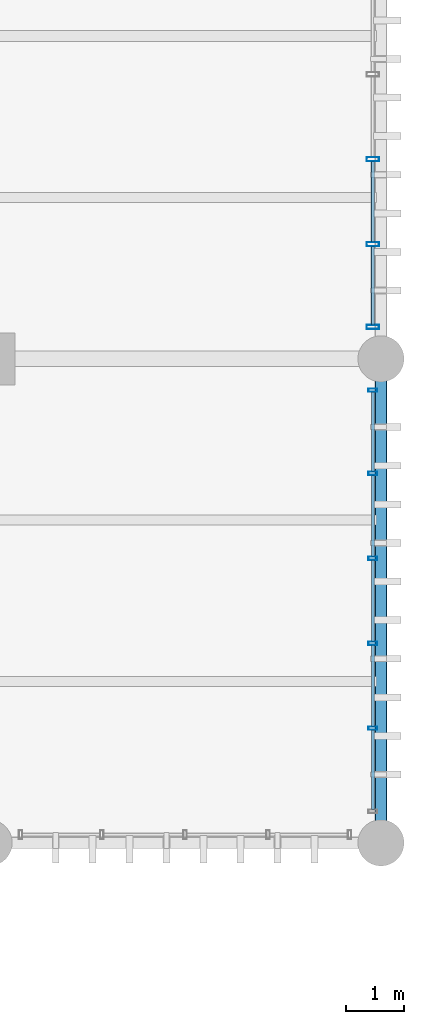
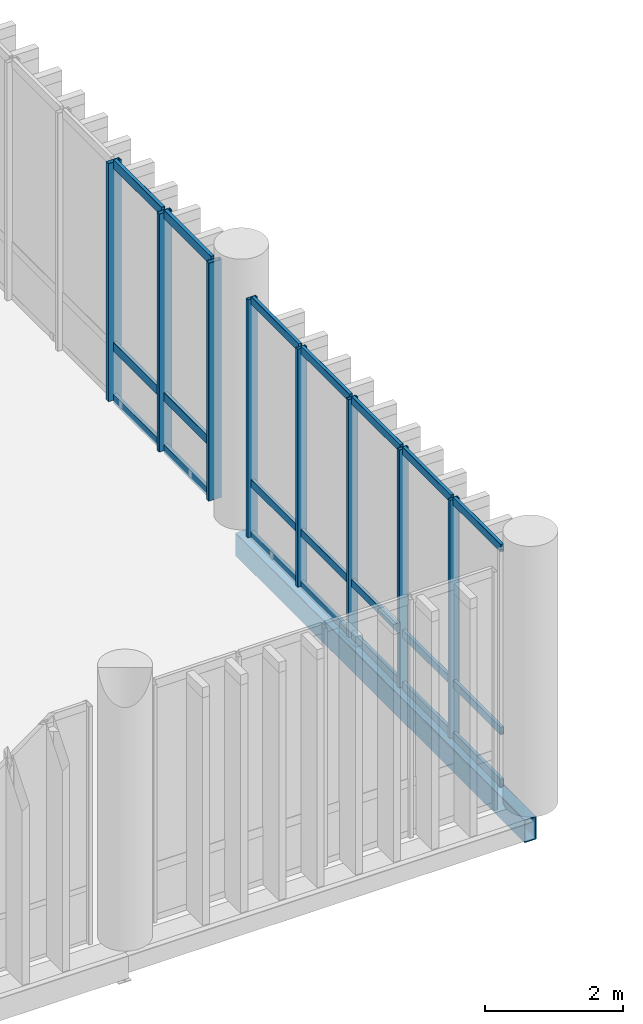
# One storey, part 74 of 109: 29 members, 1 beam, 2 elements without a shape of their own.
"""IFC4 building model written with IfcOpenShell, lengths in metres."""

from ifc_helpers import new_model, si_unit, direction, frame, origin_with_axes, origin_2d_with_axis, place, context, subcontext, project, spatial, hollow_rectangle, extrude, material, material_profile, profile_set, type_object, element, aggregate, save


model = new_model("IFC4")

# Units and contexts
model_context = context("Model", 3, precision=1e-05, world=origin_with_axes(), true_north=direction((0.0, 1.0)))
body_context = subcontext(model_context, "Body", "Model", "MODEL_VIEW")
ifc_project = project(units=[si_unit("LENGTHUNIT", "METRE"), si_unit("AREAUNIT", "SQUARE_METRE"), si_unit("VOLUMEUNIT", "CUBIC_METRE"), si_unit("PLANEANGLEUNIT", "RADIAN"), si_unit("MASSUNIT", "GRAM", prefix="KILO"), si_unit("THERMODYNAMICTEMPERATUREUNIT", "KELVIN")], contexts=[model_context])

# Site, building, storey
site_placement = place(None, origin_with_axes())
site = spatial("IfcSite", under=ifc_project, at=site_placement, CompositionType="ELEMENT")
building_placement = place(site_placement, origin_with_axes())
building = spatial("IfcBuilding", under=site, at=building_placement, Name="Montbau Bow Law Courts", CompositionType="ELEMENT")
storey_placement = place(building_placement, frame((0.0, 0.0, 10.8), z_axis=(0.0, 0.0, 1.0), x_axis=(1.0, 0.0, 0.0)))
storey = spatial("IfcBuildingStorey", under=building, at=storey_placement, Name="L02", CompositionType="ELEMENT", Elevation=10.8)

# Beam
ifc_material_1 = material(Name="Steel CSA G40.21 Grade 350WT (350 MPa)", Category="steel")
ifc_material_profile_1 = material_profile(ifc_material_1, hollow_rectangle(XDim=0.203, YDim=0.406, WallThickness=0.0127, InnerFilletRadius=0.0254, OuterFilletRadius=0.0127, at=origin_2d_with_axis()), Name="HSS406X203X13", Category="Main", Priority=0)
ifc_profile_set_1 = profile_set([ifc_material_profile_1], Name="Steel CSA G40.21 Grade 350WT (350 MPa)")
beam_type = type_object("IfcBeamType", Name="B-SPN-01", PredefinedType="SPANDREL", material=ifc_profile_set_1)
beam_placement = place(None, frame((169.4, 69.6, 10.297), z_axis=(0.0, 1.0, 0.0), x_axis=(-1.0, 0.0, 0.0)))
element("IfcBeam", 1, at=beam_placement, inside=storey, type_object=beam_type, Name="SPN-L02-S1201:bm2_1204", PredefinedType="SPANDREL", context=body_context, shape_type="SweptSolid", body=[
    extrude(hollow_rectangle(XDim=0.203, YDim=0.406, WallThickness=0.0127, InnerFilletRadius=0.0254, OuterFilletRadius=0.0127, at=origin_2d_with_axis()), origin_with_axes(), (0.0, 0.0, 1.0), 8.4),
])

# Curtain wall, members
ifc_material_2 = material(Name="Thermally Broken Extruded Aluminium AA 6063-T6", Category="aluminium")
curtain_wall_type = type_object("IfcCurtainWallType", Name="CW-SLT-01", PredefinedType="NOTDEFINED", material=ifc_material_2)
curtain_wall_1_placement = place(None, frame((169.26, 78.515, 10.8), z_axis=(0.0, 0.0, 1.0), x_axis=(1.0, 0.0, 0.0)))
curtain_wall_1 = element("IfcCurtainWall", 2, at=curtain_wall_1_placement, inside=storey, type_object=curtain_wall_type, Name="CW-L02-306:cw_0306", PredefinedType="NOTDEFINED")
ifc_material_profile_2 = material_profile(ifc_material_2, hollow_rectangle(XDim=0.075, YDim=0.22, WallThickness=0.005, InnerFilletRadius=0.01, OuterFilletRadius=0.005, at=origin_2d_with_axis()), Name="CWM-220X75", Category="Main", Priority=0)
ifc_profile_set_2 = profile_set([ifc_material_profile_2], Name="Thermally Broken Extruded Aluminium AA 6063-T6")
member_type_1 = type_object("IfcMemberType", Name="M-MUL-01", PredefinedType="MULLION", material=ifc_profile_set_2)
member_1_placement = place(None, frame((169.26, 78.552, 10.8), z_axis=(0.0, 0.0, 1.0), x_axis=(0.0, 1.0, 0.0)))
member_1 = element("IfcMember", 3, at=member_1_placement, type_object=member_type_1, Name="CW-L02-306-M01:cw_0306_M01", PredefinedType="MULLION", context=body_context, shape_type="SweptSolid", body=[
    extrude(hollow_rectangle(XDim=0.075, YDim=0.22, WallThickness=0.005, InnerFilletRadius=0.01, OuterFilletRadius=0.005, at=origin_2d_with_axis()), origin_with_axes(), (0.0, 0.0, 1.0), 4.22),
])
member_2_placement = place(None, frame((169.26, 79.989, 10.8), z_axis=(0.0, 0.0, 1.0), x_axis=(0.0, 1.0, 0.0)))
member_2 = element("IfcMember", 4, at=member_2_placement, type_object=member_type_1, Name="CW-L02-306-M02:cw_0306_M02", PredefinedType="MULLION", context=body_context, shape_type="SweptSolid", body=[
    extrude(hollow_rectangle(XDim=0.075, YDim=0.22, WallThickness=0.005, InnerFilletRadius=0.01, OuterFilletRadius=0.005, at=origin_2d_with_axis()), origin_with_axes(), (0.0, 0.0, 1.0), 4.22),
])
member_3_placement = place(None, frame((169.26, 81.463, 10.8), z_axis=(0.0, 0.0, 1.0), x_axis=(0.0, 1.0, 0.0)))
member_3 = element("IfcMember", 5, at=member_3_placement, type_object=member_type_1, Name="CW-L02-306-M03:cw_0306_M03", PredefinedType="MULLION", context=body_context, shape_type="SweptSolid", body=[
    extrude(hollow_rectangle(XDim=0.075, YDim=0.22, WallThickness=0.005, InnerFilletRadius=0.01, OuterFilletRadius=0.005, at=origin_2d_with_axis()), origin_with_axes(), (0.0, 0.0, 1.0), 4.22),
])

curtain_wall_2_placement = place(None, frame((169.26, 70.115, 10.8), z_axis=(0.0, 0.0, 1.0), x_axis=(1.0, 0.0, 0.0)))
curtain_wall_2 = element("IfcCurtainWall", 6, at=curtain_wall_2_placement, inside=storey, type_object=curtain_wall_type, Name="CW-L02-305:cw_0305", PredefinedType="NOTDEFINED")
ifc_material_profile_3 = material_profile(ifc_material_2, hollow_rectangle(XDim=0.06, YDim=0.16, WallThickness=0.004, InnerFilletRadius=0.008, OuterFilletRadius=0.004, at=origin_2d_with_axis()), Name="CWM-160X60", Category="Main", Priority=0)
ifc_profile_set_3 = profile_set([ifc_material_profile_3], Name="Thermally Broken Extruded Aluminium AA 6063-T6")
member_type_2 = type_object("IfcMemberType", Name="M-MUL-03", PredefinedType="MULLION", material=ifc_profile_set_3)
member_4_placement = place(None, frame((169.26, 71.589, 10.8), z_axis=(0.0, 0.0, 1.0), x_axis=(0.0, 1.0, 0.0)))
member_4 = element("IfcMember", 7, at=member_4_placement, type_object=member_type_2, Name="CW-L02-305-M02:cw_0305_M02", PredefinedType="MULLION", context=body_context, shape_type="SweptSolid", body=[
    extrude(hollow_rectangle(XDim=0.06, YDim=0.16, WallThickness=0.004, InnerFilletRadius=0.008, OuterFilletRadius=0.004, at=origin_2d_with_axis()), origin_with_axes(), (0.0, 0.0, 1.0), 4.22),
])
member_5_placement = place(None, frame((169.26, 73.063, 10.8), z_axis=(0.0, 0.0, 1.0), x_axis=(0.0, 1.0, 0.0)))
member_5 = element("IfcMember", 8, at=member_5_placement, type_object=member_type_2, Name="CW-L02-305-M03:cw_0305_M03", PredefinedType="MULLION", context=body_context, shape_type="SweptSolid", body=[
    extrude(hollow_rectangle(XDim=0.06, YDim=0.16, WallThickness=0.004, InnerFilletRadius=0.008, OuterFilletRadius=0.004, at=origin_2d_with_axis()), origin_with_axes(), (0.0, 0.0, 1.0), 4.22),
])
member_6_placement = place(None, frame((169.26, 74.537, 10.8), z_axis=(0.0, 0.0, 1.0), x_axis=(0.0, 1.0, 0.0)))
member_6 = element("IfcMember", 9, at=member_6_placement, type_object=member_type_2, Name="CW-L02-305-M04:cw_0305_M04", PredefinedType="MULLION", context=body_context, shape_type="SweptSolid", body=[
    extrude(hollow_rectangle(XDim=0.06, YDim=0.16, WallThickness=0.004, InnerFilletRadius=0.008, OuterFilletRadius=0.004, at=origin_2d_with_axis()), origin_with_axes(), (0.0, 0.0, 1.0), 4.22),
])
member_7_placement = place(None, frame((169.26, 76.011, 10.8), z_axis=(0.0, 0.0, 1.0), x_axis=(0.0, 1.0, 0.0)))
member_7 = element("IfcMember", 10, at=member_7_placement, type_object=member_type_2, Name="CW-L02-305-M05:cw_0305_M05", PredefinedType="MULLION", context=body_context, shape_type="SweptSolid", body=[
    extrude(hollow_rectangle(XDim=0.06, YDim=0.16, WallThickness=0.004, InnerFilletRadius=0.008, OuterFilletRadius=0.004, at=origin_2d_with_axis()), origin_with_axes(), (0.0, 0.0, 1.0), 4.22),
])
member_8_placement = place(None, frame((169.26, 77.455, 10.8), z_axis=(0.0, 0.0, 1.0), x_axis=(0.0, 1.0, 0.0)))
member_8 = element("IfcMember", 11, at=member_8_placement, type_object=member_type_2, Name="CW-L02-305-M06:cw_0305_M06", PredefinedType="MULLION", context=body_context, shape_type="SweptSolid", body=[
    extrude(hollow_rectangle(XDim=0.06, YDim=0.16, WallThickness=0.004, InnerFilletRadius=0.008, OuterFilletRadius=0.004, at=origin_2d_with_axis()), origin_with_axes(), (0.0, 0.0, 1.0), 4.22),
])

# Member
ifc_material_profile_4 = material_profile(ifc_material_2, hollow_rectangle(XDim=0.06, YDim=0.16, WallThickness=0.004, InnerFilletRadius=0.008, OuterFilletRadius=0.004, at=origin_2d_with_axis()), Name="CWT-160X60", Category="Main", Priority=0)
ifc_profile_set_4 = profile_set([ifc_material_profile_4], Name="Thermally Broken Extruded Aluminium AA 6063-T6")
member_type_3 = type_object("IfcMemberType", Name="M-TRN-01", PredefinedType="USERDEFINED", material=ifc_profile_set_4)
member_9_placement = place(None, frame((169.26, 78.591, 10.83), z_axis=(0.0, 1.0, 0.0), x_axis=(-1.0, 0.0, 0.0)))
member_9 = element("IfcMember", 12, at=member_9_placement, type_object=member_type_3, Name="CW-L02-306-T01-1:cw_0306_T01_1", ObjectType="TRANSOM", PredefinedType="USERDEFINED", context=body_context, shape_type="SweptSolid", body=[
    extrude(hollow_rectangle(XDim=0.06, YDim=0.16, WallThickness=0.004, InnerFilletRadius=0.008, OuterFilletRadius=0.004, at=origin_2d_with_axis()), origin_with_axes(), (0.0, 0.0, 1.0), 1.358),
])

member_10_placement = place(None, frame((169.26, 78.591, 11.75), z_axis=(0.0, 1.0, 0.0), x_axis=(-1.0, 0.0, 0.0)))
member_10 = element("IfcMember", 13, at=member_10_placement, type_object=member_type_3, Name="CW-L02-306-T01-2:cw_0306_T01_2", ObjectType="TRANSOM", PredefinedType="USERDEFINED", context=body_context, shape_type="SweptSolid", body=[
    extrude(hollow_rectangle(XDim=0.06, YDim=0.16, WallThickness=0.004, InnerFilletRadius=0.008, OuterFilletRadius=0.004, at=origin_2d_with_axis()), origin_with_axes(), (0.0, 0.0, 1.0), 1.358),
])

member_11_placement = place(None, frame((169.26, 78.591, 14.99), z_axis=(0.0, 1.0, 0.0), x_axis=(-1.0, 0.0, 0.0)))
member_11 = element("IfcMember", 14, at=member_11_placement, type_object=member_type_3, Name="CW-L02-306-T01-3:cw_0306_T01_3", ObjectType="TRANSOM", PredefinedType="USERDEFINED", context=body_context, shape_type="SweptSolid", body=[
    extrude(hollow_rectangle(XDim=0.06, YDim=0.16, WallThickness=0.004, InnerFilletRadius=0.008, OuterFilletRadius=0.004, at=origin_2d_with_axis()), origin_with_axes(), (0.0, 0.0, 1.0), 1.358),
])

member_12_placement = place(None, frame((169.26, 80.029, 10.83), z_axis=(0.0, 1.0, 0.0), x_axis=(-1.0, 0.0, 0.0)))
member_12 = element("IfcMember", 15, at=member_12_placement, type_object=member_type_3, Name="CW-L02-306-T02-1:cw_0306_T02_1", ObjectType="TRANSOM", PredefinedType="USERDEFINED", context=body_context, shape_type="SweptSolid", body=[
    extrude(hollow_rectangle(XDim=0.06, YDim=0.16, WallThickness=0.004, InnerFilletRadius=0.008, OuterFilletRadius=0.004, at=origin_2d_with_axis()), origin_with_axes(), (0.0, 0.0, 1.0), 1.395),
])

member_13_placement = place(None, frame((169.26, 80.029, 11.75), z_axis=(0.0, 1.0, 0.0), x_axis=(-1.0, 0.0, 0.0)))
member_13 = element("IfcMember", 16, at=member_13_placement, type_object=member_type_3, Name="CW-L02-306-T02-2:cw_0306_T02_2", ObjectType="TRANSOM", PredefinedType="USERDEFINED", context=body_context, shape_type="SweptSolid", body=[
    extrude(hollow_rectangle(XDim=0.06, YDim=0.16, WallThickness=0.004, InnerFilletRadius=0.008, OuterFilletRadius=0.004, at=origin_2d_with_axis()), origin_with_axes(), (0.0, 0.0, 1.0), 1.395),
])

member_14_placement = place(None, frame((169.26, 80.029, 14.99), z_axis=(0.0, 1.0, 0.0), x_axis=(-1.0, 0.0, 0.0)))
member_14 = element("IfcMember", 17, at=member_14_placement, type_object=member_type_3, Name="CW-L02-306-T02-3:cw_0306_T02_3", ObjectType="TRANSOM", PredefinedType="USERDEFINED", context=body_context, shape_type="SweptSolid", body=[
    extrude(hollow_rectangle(XDim=0.06, YDim=0.16, WallThickness=0.004, InnerFilletRadius=0.008, OuterFilletRadius=0.004, at=origin_2d_with_axis()), origin_with_axes(), (0.0, 0.0, 1.0), 1.395),
])

aggregate(curtain_wall_1, [member_1, member_2, member_3, member_9, member_10, member_11, member_12, member_13, member_14])

ifc_material_profile_5 = material_profile(ifc_material_2, hollow_rectangle(XDim=0.055, YDim=0.14, WallThickness=0.004, InnerFilletRadius=0.008, OuterFilletRadius=0.004, at=origin_2d_with_axis()), Name="CWT-140X55", Category="Main", Priority=0)
ifc_profile_set_5 = profile_set([ifc_material_profile_5], Name="Thermally Broken Extruded Aluminium AA 6063-T6")
member_type_4 = type_object("IfcMemberType", Name="M-TRN-02", PredefinedType="USERDEFINED", material=ifc_profile_set_5)
member_15_placement = place(None, frame((169.26, 70.177, 10.828), z_axis=(0.0, 1.0, 0.0), x_axis=(-1.0, 0.0, 0.0)))
member_15 = element("IfcMember", 18, at=member_15_placement, type_object=member_type_4, Name="CW-L02-305-T01-1:cw_0305_T01_1", ObjectType="TRANSOM", PredefinedType="USERDEFINED", context=body_context, shape_type="SweptSolid", body=[
    extrude(hollow_rectangle(XDim=0.055, YDim=0.14, WallThickness=0.004, InnerFilletRadius=0.008, OuterFilletRadius=0.004, at=origin_2d_with_axis()), origin_with_axes(), (0.0, 0.0, 1.0), 1.38),
])

member_16_placement = place(None, frame((169.26, 70.177, 11.75), z_axis=(0.0, 1.0, 0.0), x_axis=(-1.0, 0.0, 0.0)))
member_16 = element("IfcMember", 19, at=member_16_placement, type_object=member_type_4, Name="CW-L02-305-T01-2:cw_0305_T01_2", ObjectType="TRANSOM", PredefinedType="USERDEFINED", context=body_context, shape_type="SweptSolid", body=[
    extrude(hollow_rectangle(XDim=0.055, YDim=0.14, WallThickness=0.004, InnerFilletRadius=0.008, OuterFilletRadius=0.004, at=origin_2d_with_axis()), origin_with_axes(), (0.0, 0.0, 1.0), 1.38),
])

member_17_placement = place(None, frame((169.26, 70.177, 14.992), z_axis=(0.0, 1.0, 0.0), x_axis=(-1.0, 0.0, 0.0)))
member_17 = element("IfcMember", 20, at=member_17_placement, type_object=member_type_4, Name="CW-L02-305-T01-3:cw_0305_T01_3", ObjectType="TRANSOM", PredefinedType="USERDEFINED", context=body_context, shape_type="SweptSolid", body=[
    extrude(hollow_rectangle(XDim=0.055, YDim=0.14, WallThickness=0.004, InnerFilletRadius=0.008, OuterFilletRadius=0.004, at=origin_2d_with_axis()), origin_with_axes(), (0.0, 0.0, 1.0), 1.38),
])

member_18_placement = place(None, frame((169.26, 71.621, 10.828), z_axis=(0.0, 1.0, 0.0), x_axis=(-1.0, 0.0, 0.0)))
member_18 = element("IfcMember", 21, at=member_18_placement, type_object=member_type_4, Name="CW-L02-305-T02-1:cw_0305_T02_1", ObjectType="TRANSOM", PredefinedType="USERDEFINED", context=body_context, shape_type="SweptSolid", body=[
    extrude(hollow_rectangle(XDim=0.055, YDim=0.14, WallThickness=0.004, InnerFilletRadius=0.008, OuterFilletRadius=0.004, at=origin_2d_with_axis()), origin_with_axes(), (0.0, 0.0, 1.0), 1.41),
])

member_19_placement = place(None, frame((169.26, 71.621, 11.75), z_axis=(0.0, 1.0, 0.0), x_axis=(-1.0, 0.0, 0.0)))
member_19 = element("IfcMember", 22, at=member_19_placement, type_object=member_type_4, Name="CW-L02-305-T02-2:cw_0305_T02_2", ObjectType="TRANSOM", PredefinedType="USERDEFINED", context=body_context, shape_type="SweptSolid", body=[
    extrude(hollow_rectangle(XDim=0.055, YDim=0.14, WallThickness=0.004, InnerFilletRadius=0.008, OuterFilletRadius=0.004, at=origin_2d_with_axis()), origin_with_axes(), (0.0, 0.0, 1.0), 1.41),
])

member_20_placement = place(None, frame((169.26, 71.621, 14.992), z_axis=(0.0, 1.0, 0.0), x_axis=(-1.0, 0.0, 0.0)))
member_20 = element("IfcMember", 23, at=member_20_placement, type_object=member_type_4, Name="CW-L02-305-T02-3:cw_0305_T02_3", ObjectType="TRANSOM", PredefinedType="USERDEFINED", context=body_context, shape_type="SweptSolid", body=[
    extrude(hollow_rectangle(XDim=0.055, YDim=0.14, WallThickness=0.004, InnerFilletRadius=0.008, OuterFilletRadius=0.004, at=origin_2d_with_axis()), origin_with_axes(), (0.0, 0.0, 1.0), 1.41),
])

member_21_placement = place(None, frame((169.26, 73.095, 10.828), z_axis=(0.0, 1.0, 0.0), x_axis=(-1.0, 0.0, 0.0)))
member_21 = element("IfcMember", 24, at=member_21_placement, type_object=member_type_4, Name="CW-L02-305-T03-1:cw_0305_T03_1", ObjectType="TRANSOM", PredefinedType="USERDEFINED", context=body_context, shape_type="SweptSolid", body=[
    extrude(hollow_rectangle(XDim=0.055, YDim=0.14, WallThickness=0.004, InnerFilletRadius=0.008, OuterFilletRadius=0.004, at=origin_2d_with_axis()), origin_with_axes(), (0.0, 0.0, 1.0), 1.41),
])

member_22_placement = place(None, frame((169.26, 73.095, 11.75), z_axis=(0.0, 1.0, 0.0), x_axis=(-1.0, 0.0, 0.0)))
member_22 = element("IfcMember", 25, at=member_22_placement, type_object=member_type_4, Name="CW-L02-305-T03-2:cw_0305_T03_2", ObjectType="TRANSOM", PredefinedType="USERDEFINED", context=body_context, shape_type="SweptSolid", body=[
    extrude(hollow_rectangle(XDim=0.055, YDim=0.14, WallThickness=0.004, InnerFilletRadius=0.008, OuterFilletRadius=0.004, at=origin_2d_with_axis()), origin_with_axes(), (0.0, 0.0, 1.0), 1.41),
])

member_23_placement = place(None, frame((169.26, 73.095, 14.992), z_axis=(0.0, 1.0, 0.0), x_axis=(-1.0, 0.0, 0.0)))
member_23 = element("IfcMember", 26, at=member_23_placement, type_object=member_type_4, Name="CW-L02-305-T03-3:cw_0305_T03_3", ObjectType="TRANSOM", PredefinedType="USERDEFINED", context=body_context, shape_type="SweptSolid", body=[
    extrude(hollow_rectangle(XDim=0.055, YDim=0.14, WallThickness=0.004, InnerFilletRadius=0.008, OuterFilletRadius=0.004, at=origin_2d_with_axis()), origin_with_axes(), (0.0, 0.0, 1.0), 1.41),
])

member_24_placement = place(None, frame((169.26, 74.569, 10.828), z_axis=(0.0, 1.0, 0.0), x_axis=(-1.0, 0.0, 0.0)))
member_24 = element("IfcMember", 27, at=member_24_placement, type_object=member_type_4, Name="CW-L02-305-T04-1:cw_0305_T04_1", ObjectType="TRANSOM", PredefinedType="USERDEFINED", context=body_context, shape_type="SweptSolid", body=[
    extrude(hollow_rectangle(XDim=0.055, YDim=0.14, WallThickness=0.004, InnerFilletRadius=0.008, OuterFilletRadius=0.004, at=origin_2d_with_axis()), origin_with_axes(), (0.0, 0.0, 1.0), 1.41),
])

member_25_placement = place(None, frame((169.26, 74.569, 11.75), z_axis=(0.0, 1.0, 0.0), x_axis=(-1.0, 0.0, 0.0)))
member_25 = element("IfcMember", 28, at=member_25_placement, type_object=member_type_4, Name="CW-L02-305-T04-2:cw_0305_T04_2", ObjectType="TRANSOM", PredefinedType="USERDEFINED", context=body_context, shape_type="SweptSolid", body=[
    extrude(hollow_rectangle(XDim=0.055, YDim=0.14, WallThickness=0.004, InnerFilletRadius=0.008, OuterFilletRadius=0.004, at=origin_2d_with_axis()), origin_with_axes(), (0.0, 0.0, 1.0), 1.41),
])

member_26_placement = place(None, frame((169.26, 74.569, 14.992), z_axis=(0.0, 1.0, 0.0), x_axis=(-1.0, 0.0, 0.0)))
member_26 = element("IfcMember", 29, at=member_26_placement, type_object=member_type_4, Name="CW-L02-305-T04-3:cw_0305_T04_3", ObjectType="TRANSOM", PredefinedType="USERDEFINED", context=body_context, shape_type="SweptSolid", body=[
    extrude(hollow_rectangle(XDim=0.055, YDim=0.14, WallThickness=0.004, InnerFilletRadius=0.008, OuterFilletRadius=0.004, at=origin_2d_with_axis()), origin_with_axes(), (0.0, 0.0, 1.0), 1.41),
])

member_27_placement = place(None, frame((169.26, 76.043, 10.828), z_axis=(0.0, 1.0, 0.0), x_axis=(-1.0, 0.0, 0.0)))
member_27 = element("IfcMember", 30, at=member_27_placement, type_object=member_type_4, Name="CW-L02-305-T05-1:cw_0305_T05_1", ObjectType="TRANSOM", PredefinedType="USERDEFINED", context=body_context, shape_type="SweptSolid", body=[
    extrude(hollow_rectangle(XDim=0.055, YDim=0.14, WallThickness=0.004, InnerFilletRadius=0.008, OuterFilletRadius=0.004, at=origin_2d_with_axis()), origin_with_axes(), (0.0, 0.0, 1.0), 1.38),
])

member_28_placement = place(None, frame((169.26, 76.043, 11.75), z_axis=(0.0, 1.0, 0.0), x_axis=(-1.0, 0.0, 0.0)))
member_28 = element("IfcMember", 31, at=member_28_placement, type_object=member_type_4, Name="CW-L02-305-T05-2:cw_0305_T05_2", ObjectType="TRANSOM", PredefinedType="USERDEFINED", context=body_context, shape_type="SweptSolid", body=[
    extrude(hollow_rectangle(XDim=0.055, YDim=0.14, WallThickness=0.004, InnerFilletRadius=0.008, OuterFilletRadius=0.004, at=origin_2d_with_axis()), origin_with_axes(), (0.0, 0.0, 1.0), 1.38),
])

member_29_placement = place(None, frame((169.26, 76.043, 14.992), z_axis=(0.0, 1.0, 0.0), x_axis=(-1.0, 0.0, 0.0)))
member_29 = element("IfcMember", 32, at=member_29_placement, type_object=member_type_4, Name="CW-L02-305-T05-3:cw_0305_T05_3", ObjectType="TRANSOM", PredefinedType="USERDEFINED", context=body_context, shape_type="SweptSolid", body=[
    extrude(hollow_rectangle(XDim=0.055, YDim=0.14, WallThickness=0.004, InnerFilletRadius=0.008, OuterFilletRadius=0.004, at=origin_2d_with_axis()), origin_with_axes(), (0.0, 0.0, 1.0), 1.38),
])

aggregate(curtain_wall_2, [member_4, member_5, member_6, member_7, member_8, member_15, member_16, member_17, member_18, member_19, member_20, member_21, member_22, member_23, member_24, member_25, member_26, member_27, member_28, member_29])

save(model, "model.ifc")
